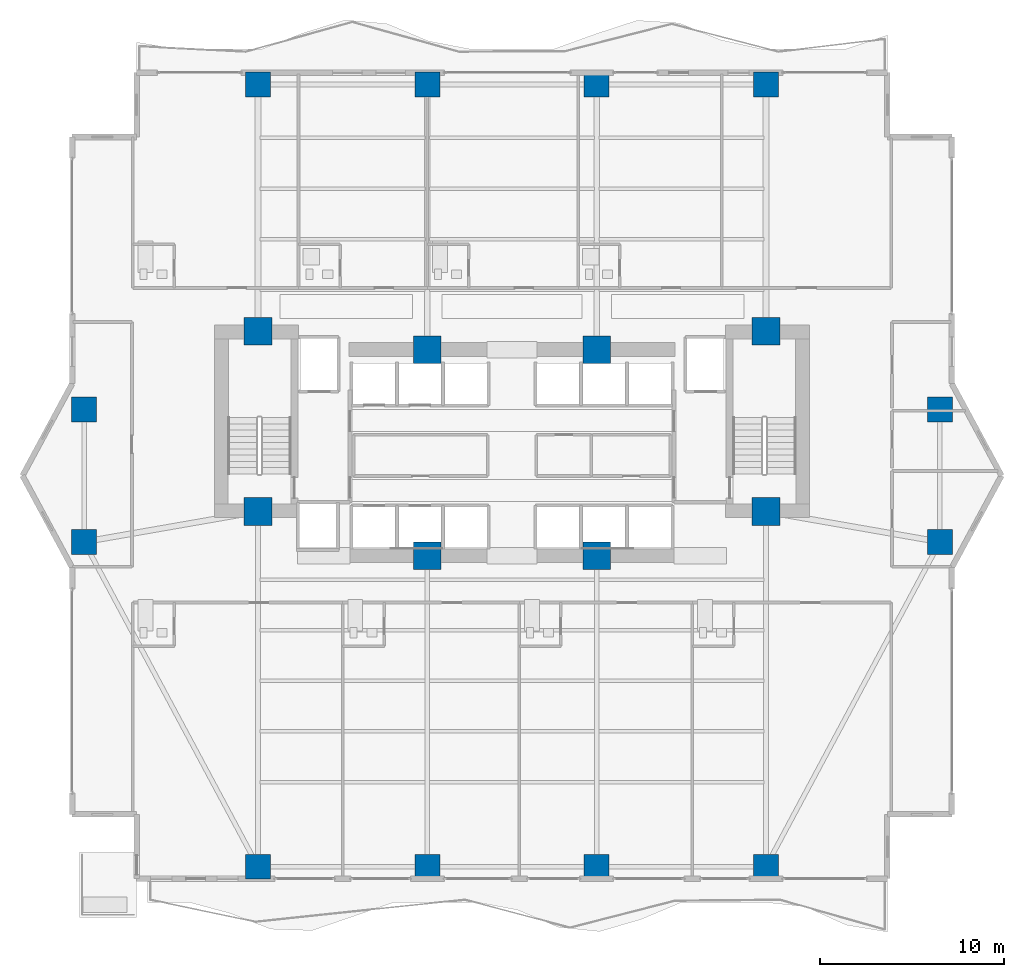
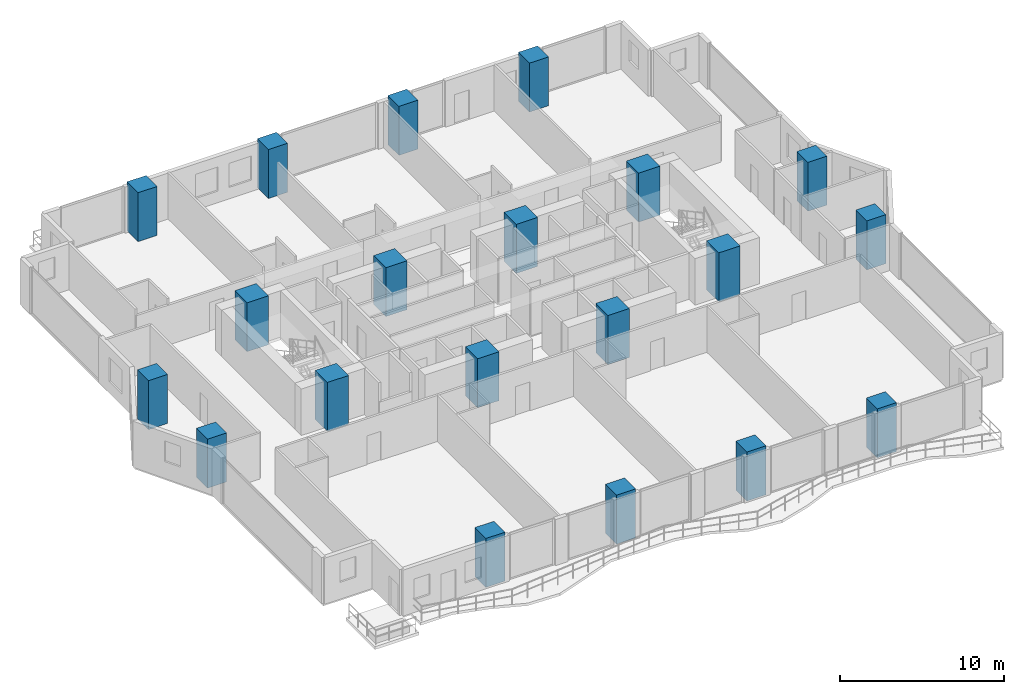
# One storey, part 1 of 28: 20 columns.
"""IFC4 building model written with IfcOpenShell, lengths in metres."""

from ifc_helpers import new_model, si_unit, direction, frame, origin, origin_2d, place, context, subcontext, project, spatial, rectangle, extrude, material, material_profile, profile_set, type_object, element, save


model = new_model("IFC4")

# Units and contexts
model_context = context("Model", 3, precision=1e-05, world=origin(), true_north=direction((0.0, 1.0)))
body_context = subcontext(model_context, "Body", "Model", "MODEL_VIEW")
ifc_project = project(units=[si_unit("LENGTHUNIT", "METRE"), si_unit("AREAUNIT", "SQUARE_METRE"), si_unit("VOLUMEUNIT", "CUBIC_METRE"), si_unit("PLANEANGLEUNIT", "RADIAN"), si_unit("MASSUNIT", "GRAM", prefix="KILO")], contexts=[model_context])

# Site, building, storey
site_placement = place(None, origin())
site = spatial("IfcSite", under=ifc_project, at=site_placement, CompositionType="ELEMENT")
building_placement = place(site_placement, origin())
building = spatial("IfcBuilding", under=site, at=building_placement, Name="Zuhayl Quay Hotel", CompositionType="ELEMENT")
storey_placement = place(building_placement, frame((0.0, 0.0, 121.199951171875)))
storey = spatial("IfcBuildingStorey", under=building, at=storey_placement, Name="L30", CompositionType="ELEMENT", Elevation=121.199951171875)

# Columns
ifc_material = material(Name="Concrete C70/85", Category="concrete")
ifc_material_profile_1 = material_profile(ifc_material, rectangle(XDim=1.5, YDim=1.5, at=origin_2d()), Name="RC1500X1500")
ifc_profile_set_1 = profile_set([ifc_material_profile_1], Name="Concrete C70/85")
column_type_1 = type_object("IfcColumnType", Name="CL_CC1_1500", PredefinedType="COLUMN", material=ifc_profile_set_1)
for number, where, z_axis, x_axis, name in (
    (1, (-13.800048828125, 14.35009765625, 0.0), (0.0, 0.0, 1.0), (1.0, 0.0, 0.0), "L30 Core Column CC_NW"),
    (2, (-4.60009765625, 13.35009765625, 0.0), (0.0, 0.0, 1.0), (1.0, 0.0, 0.0), "L30 Core Column CC_CNW"),
    (3, (4.60009765625, 13.35009765625, 0.0), (0.0, 0.0, 1.0), (1.0, 0.0, 0.0), "L30 Core Column CC_CNE"),
    (4, (13.800048828125, 14.35009765625, 0.0), (0.0, 0.0, 1.0), (1.0, 0.0, 0.0), "L30 Core Column CC_NE"),
    (5, (-13.800048828125, 4.550048828125, 0.0), (0.0, 0.0, 1.0), (1.0, 0.0, 0.0), "L30 Core Column CC_SW"),
    (6, (-4.60009765625, 2.14990234375, 0.0), (0.0, 0.0, 1.0), (1.0, 0.0, 0.0), "L30 Core Column CC_CSW"),
    (7, (4.60009765625, 2.14990234375, 0.0), (0.0, 0.0, 1.0), (1.0, 0.0, 0.0), "L30 Core Column CC_CSE"),
    (8, (13.800048828125, 4.550048828125, 0.0), (0.0, 0.0, 1.0), (1.0, 0.0, 0.0), "L30 Core Column CC_SE"),
):
    element("IfcColumn", number, at=place(storey_placement, frame(where, z_axis=z_axis, x_axis=x_axis)), inside=storey, type_object=column_type_1, Name=name, PredefinedType="COLUMN", context=body_context, shape_type="SweptSolid", body=[
        extrude(rectangle(XDim=1.5, YDim=1.5, at=origin_2d()), origin(), (0.0, 0.0, 1.0), 3.650146484375),
    ])
ifc_material_profile_2 = material_profile(ifc_material, rectangle(XDim=1.35009765625, YDim=1.35009765625, at=origin_2d()), Name="RC1350X1350")
ifc_profile_set_2 = profile_set([ifc_material_profile_2], Name="Concrete C70/85")
column_type_2 = type_object("IfcColumnType", Name="CL_MC2_1350", PredefinedType="COLUMN", material=ifc_profile_set_2)
for number, where, z_axis, x_axis, name in (
    (9, (-13.800048828125, -14.75, 0.0), (0.0, 0.0, 1.0), (1.0, 0.0, 0.0), "L30 Mega-Column MC_S1"),
    (10, (-4.60009765625, -14.75, 0.0), (0.0, 0.0, 1.0), (1.0, 0.0, 0.0), "L30 Mega-Column MC_S2"),
    (11, (4.60009765625, -14.75, 0.0), (0.0, 0.0, 1.0), (1.0, 0.0, 0.0), "L30 Mega-Column MC_S3"),
    (12, (13.800048828125, -14.75, 0.0), (0.0, 0.0, 1.0), (1.0, 0.0, 0.0), "L30 Mega-Column MC_S4"),
    (13, (-13.800048828125, 27.75, 0.0), (0.0, 0.0, 1.0), (1.0, 0.0, 0.0), "L30 Mega-Column MC_N1"),
    (14, (-4.60009765625, 27.75, 0.0), (0.0, 0.0, 1.0), (1.0, 0.0, 0.0), "L30 Mega-Column MC_N2"),
    (15, (4.60009765625, 27.75, 0.0), (0.0, 0.0, 1.0), (1.0, 0.0, 0.0), "L30 Mega-Column MC_N3"),
    (16, (13.800048828125, 27.75, 0.0), (0.0, 0.0, 1.0), (1.0, 0.0, 0.0), "L30 Mega-Column MC_N4"),
    (17, (-23.25, 2.89990234375, 0.0), (0.0, 0.0, 1.0), (1.0, 0.0, 0.0), "L30 Mega-Column MC_W1"),
    (18, (-23.25, 10.10009765625, 0.0), (0.0, 0.0, 1.0), (1.0, 0.0, 0.0), "L30 Mega-Column MC_W2"),
    (19, (23.25, 2.89990234375, 0.0), (0.0, 0.0, 1.0), (1.0, 0.0, 0.0), "L30 Mega-Column MC_E1"),
    (20, (23.25, 10.10009765625, 0.0), (0.0, 0.0, 1.0), (1.0, 0.0, 0.0), "L30 Mega-Column MC_E2"),
):
    element("IfcColumn", number, at=place(storey_placement, frame(where, z_axis=z_axis, x_axis=x_axis)), inside=storey, type_object=column_type_2, Name=name, PredefinedType="COLUMN", context=body_context, shape_type="SweptSolid", body=[
        extrude(rectangle(XDim=1.35009765625, YDim=1.35009765625, at=origin_2d()), origin(), (0.0, 0.0, 1.0), 3.650146484375),
    ])

save(model, "model.ifc")
